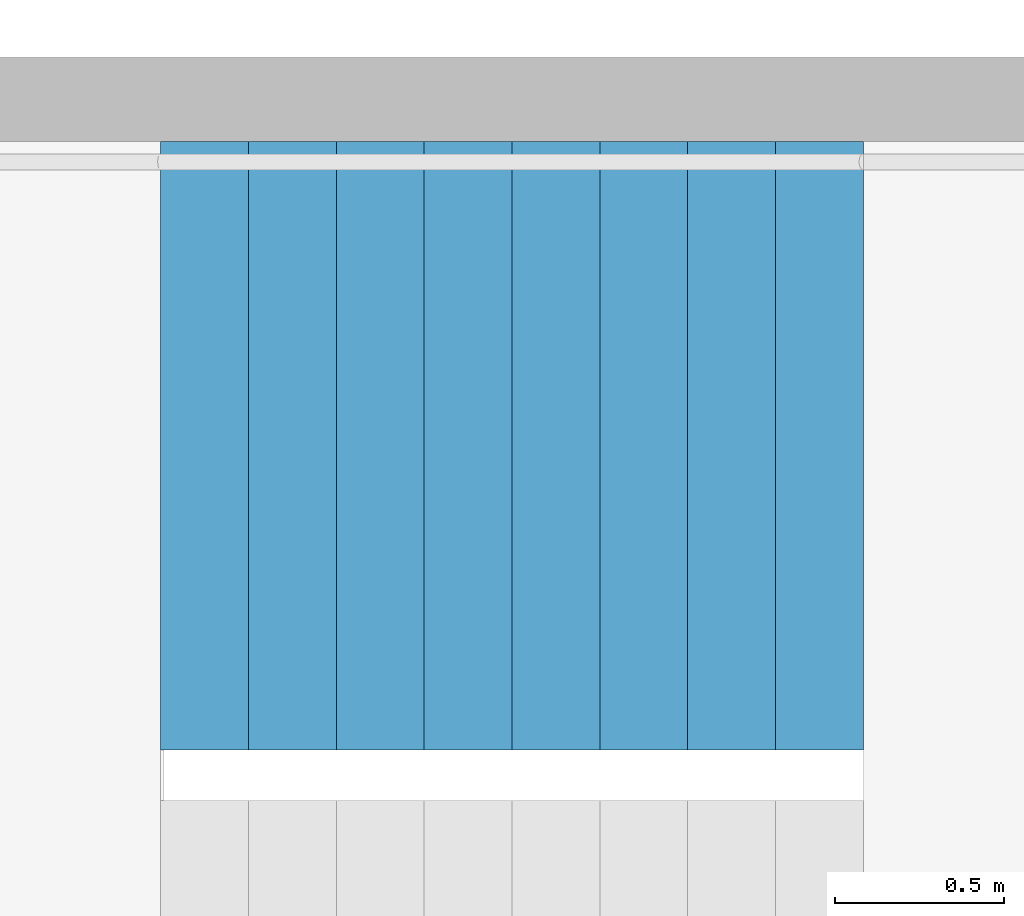
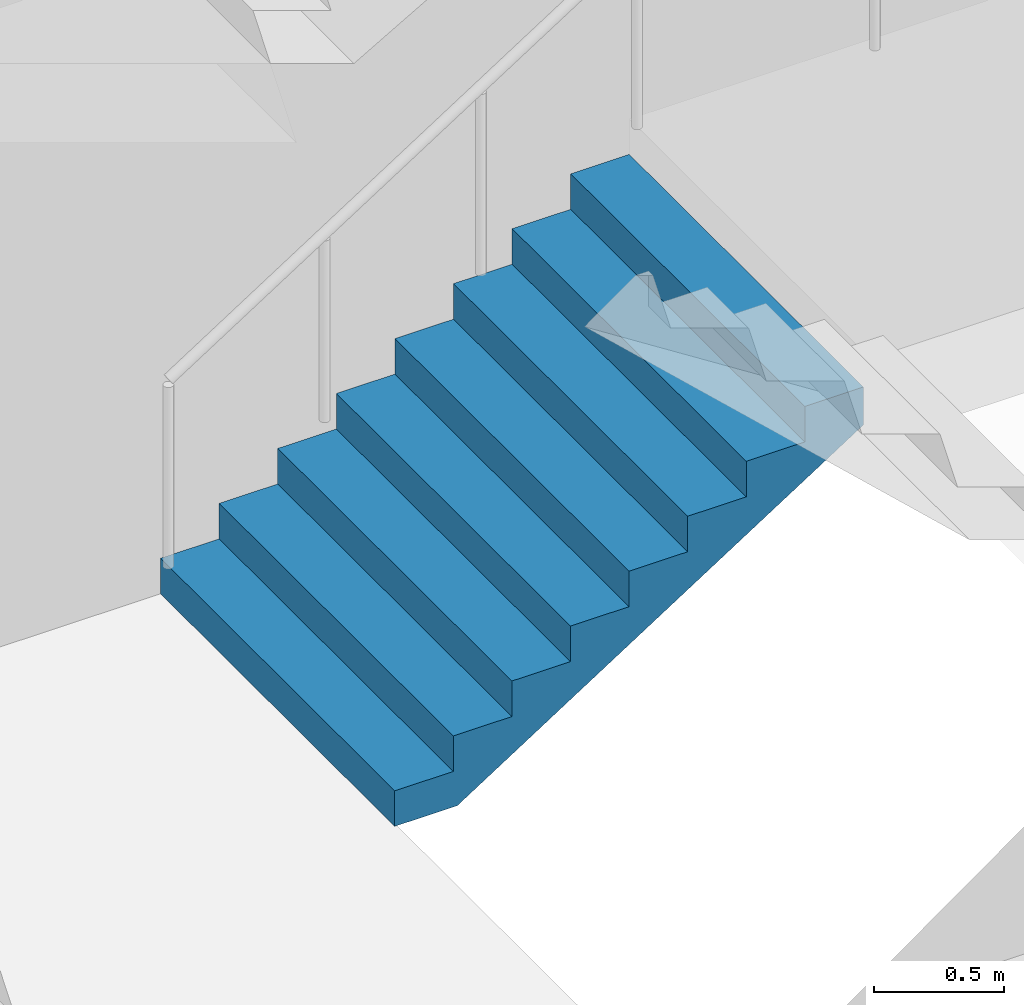
# One storey, part 64 of 100: 1 stair flight, 1 element without a shape of its own.
"""IFC4 building model written with IfcOpenShell, lengths in metres."""

from ifc_helpers import new_model, si_unit, direction, frame, origin, place, context, subcontext, project, spatial, triangles, material, type_object, element, aggregate, save


model = new_model("IFC4")

# Units and contexts
model_context = context("Model", 3, precision=1e-05, world=origin(), true_north=direction((0.0, 1.0)))
body_context = subcontext(model_context, "Body", "Model", "MODEL_VIEW")
ifc_project = project(units=[si_unit("LENGTHUNIT", "METRE"), si_unit("AREAUNIT", "SQUARE_METRE"), si_unit("VOLUMEUNIT", "CUBIC_METRE"), si_unit("PLANEANGLEUNIT", "RADIAN"), si_unit("MASSUNIT", "GRAM", prefix="KILO")], contexts=[model_context])

# Site, building, storey
site_placement = place(None, origin())
site = spatial("IfcSite", under=ifc_project, at=site_placement, CompositionType="ELEMENT")
building_placement = place(site_placement, origin())
building = spatial("IfcBuilding", under=site, at=building_placement, Name="Hakoniwa Tower and Hamabe Station Hall", CompositionType="ELEMENT")
storey_placement = place(building_placement, frame((0.0, 0.0, 9.0)))
storey = spatial("IfcBuildingStorey", under=building, at=storey_placement, Name="L02", CompositionType="ELEMENT", Elevation=9.0)

# Stair, stair flight
ifc_material_1 = material(Name="Concrete C40", Category="concrete")
stair_type = type_object("IfcStairType", Name="ESCAPE STAIR 1800", PredefinedType="HALF_TURN_STAIR", material=ifc_material_1)
stair_placement = place(storey_placement, origin())
stair = element("IfcStair", 1, at=stair_placement, inside=storey, type_object=stair_type, Name="Escape stair ST-4 L02", PredefinedType="HALF_TURN_STAIR")
ifc_material_2 = material(Name="Concrete C40", Category="concrete")
stair_flight_type = type_object("IfcStairFlightType", Name="STAIR FLIGHT 1800", PredefinedType="STRAIGHT", material=ifc_material_2)
stair_flight_placement = place(storey_placement, frame((23.39990234375, -4.64990234375, 0.0), z_axis=(0.0, 0.0, 1.0), x_axis=(1.0, 0.0, 0.0)))
stair_flight = element("IfcStairFlight", 2, at=stair_flight_placement, type_object=stair_flight_type, Name="ST-4 flight 1", NumberOfRisers=9, NumberOfTreads=8, PredefinedType="STRAIGHT", RiserHeight=0.166666667, TreadLength=0.26, context=body_context, shape_type="Tessellation", body=[
    triangles([(0.0, 0.89990234375, 0.0), (0.260009765625, 0.89990234375, 0.0), (0.27783203125, 0.89990234375, 0.0), (0.52001953125, 0.89990234375, 0.1552734375), (0.780029296875, 0.89990234375, 0.322021484375), (1.0400390625, 0.89990234375, 0.488525390625), (1.300048828125, 0.89990234375, 0.6552734375), (1.56005859375, 0.89990234375, 0.822021484375), (1.820068359375, 0.89990234375, 0.988525390625), (2.080078125, 0.89990234375, 1.1552734375), (2.080078125, 0.89990234375, 1.333251953125), (1.820068359375, 0.89990234375, 1.333251953125), (1.820068359375, 0.89990234375, 1.166748046875), (1.56005859375, 0.89990234375, 1.166748046875), (1.56005859375, 0.89990234375, 1.0), (1.300048828125, 0.89990234375, 1.0), (1.300048828125, 0.89990234375, 0.833251953125), (1.0400390625, 0.89990234375, 0.833251953125), (1.0400390625, 0.89990234375, 0.666748046875), (0.780029296875, 0.89990234375, 0.666748046875), (0.780029296875, 0.89990234375, 0.5), (0.52001953125, 0.89990234375, 0.5), (0.52001953125, 0.89990234375, 0.333251953125), (0.27783203125, 0.89990234375, 0.333251953125), (0.260009765625, 0.89990234375, 0.333251953125), (0.260009765625, 0.89990234375, 0.166748046875), (0.0, 0.89990234375, 0.166748046875), (0.0, 0.06005859375, 0.0), (0.260009765625, 0.06005859375, 0.0), (0.27783203125, 0.06005859375, 0.0), (0.52001953125, 0.06005859375, 0.1552734375), (0.780029296875, 0.06005859375, 0.322021484375), (1.0400390625, 0.06005859375, 0.488525390625), (1.300048828125, 0.06005859375, 0.6552734375), (1.56005859375, 0.06005859375, 0.822021484375), (1.820068359375, 0.06005859375, 0.988525390625), (2.080078125, 0.06005859375, 1.1552734375), (2.080078125, 0.06005859375, 1.333251953125), (1.820068359375, 0.06005859375, 1.333251953125), (1.820068359375, 0.06005859375, 1.166748046875), (1.56005859375, 0.06005859375, 1.166748046875), (1.56005859375, 0.06005859375, 1.0), (1.300048828125, 0.06005859375, 1.0), (1.300048828125, 0.06005859375, 0.833251953125), (1.0400390625, 0.06005859375, 0.833251953125), (1.0400390625, 0.06005859375, 0.666748046875), (0.780029296875, 0.06005859375, 0.666748046875), (0.780029296875, 0.06005859375, 0.5), (0.52001953125, 0.06005859375, 0.5), (0.52001953125, 0.06005859375, 0.333251953125), (0.27783203125, 0.06005859375, 0.333251953125), (0.260009765625, 0.06005859375, 0.333251953125), (0.260009765625, 0.06005859375, 0.166748046875), (0.0, 0.06005859375, 0.166748046875), (0.0, 0.04296875, 0.0), (0.260009765625, 0.04296875, 0.0), (0.27783203125, 0.04296875, 0.0), (0.52001953125, 0.04296875, 0.1552734375), (0.780029296875, 0.04296875, 0.322021484375), (1.0400390625, 0.04296875, 0.488525390625), (1.300048828125, 0.04296875, 0.6552734375), (1.56005859375, 0.04296875, 0.822021484375), (1.820068359375, 0.04296875, 0.988525390625), (2.080078125, 0.04296875, 1.1552734375), (2.080078125, 0.04296875, 1.333251953125), (1.820068359375, 0.04296875, 1.333251953125), (1.820068359375, 0.04296875, 1.166748046875), (1.56005859375, 0.04296875, 1.166748046875), (1.56005859375, 0.04296875, 1.0), (1.300048828125, 0.04296875, 1.0), (1.300048828125, 0.04296875, 0.833251953125), (1.0400390625, 0.04296875, 0.833251953125), (1.0400390625, 0.04296875, 0.666748046875), (0.780029296875, 0.04296875, 0.666748046875), (0.780029296875, 0.04296875, 0.5), (0.52001953125, 0.04296875, 0.5), (0.52001953125, 0.04296875, 0.333251953125), (0.27783203125, 0.04296875, 0.333251953125), (0.260009765625, 0.04296875, 0.333251953125), (0.260009765625, 0.04296875, 0.166748046875), (0.0, 0.04296875, 0.166748046875), (0.0, 0.025634765625, 0.0), (0.260009765625, 0.025634765625, 0.0), (0.27783203125, 0.025634765625, 0.0), (0.52001953125, 0.025634765625, 0.1552734375), (0.780029296875, 0.025634765625, 0.322021484375), (1.0400390625, 0.025634765625, 0.488525390625), (1.300048828125, 0.025634765625, 0.6552734375), (1.56005859375, 0.025634765625, 0.822021484375), (1.820068359375, 0.025634765625, 0.988525390625), (2.080078125, 0.025634765625, 1.1552734375), (2.080078125, 0.025634765625, 1.333251953125), (1.820068359375, 0.025634765625, 1.333251953125), (1.820068359375, 0.025634765625, 1.166748046875), (1.56005859375, 0.025634765625, 1.166748046875), (1.56005859375, 0.025634765625, 1.0), (1.300048828125, 0.025634765625, 1.0), (1.300048828125, 0.025634765625, 0.833251953125), (1.0400390625, 0.025634765625, 0.833251953125), (1.0400390625, 0.025634765625, 0.666748046875), (0.780029296875, 0.025634765625, 0.666748046875), (0.780029296875, 0.025634765625, 0.5), (0.52001953125, 0.025634765625, 0.5), (0.52001953125, 0.025634765625, 0.333251953125), (0.27783203125, 0.025634765625, 0.333251953125), (0.260009765625, 0.025634765625, 0.333251953125), (0.260009765625, 0.025634765625, 0.166748046875), (0.0, 0.025634765625, 0.166748046875), (0.0, 0.008544921875, 0.0), (0.260009765625, 0.008544921875, 0.0), (0.27783203125, 0.008544921875, 0.0), (0.52001953125, 0.008544921875, 0.1552734375), (0.780029296875, 0.008544921875, 0.322021484375), (1.0400390625, 0.008544921875, 0.488525390625), (1.300048828125, 0.008544921875, 0.6552734375), (1.56005859375, 0.008544921875, 0.822021484375), (1.820068359375, 0.008544921875, 0.988525390625), (2.080078125, 0.008544921875, 1.1552734375), (2.080078125, 0.008544921875, 1.333251953125), (1.820068359375, 0.008544921875, 1.333251953125), (1.820068359375, 0.008544921875, 1.166748046875), (1.56005859375, 0.008544921875, 1.166748046875), (1.56005859375, 0.008544921875, 1.0), (1.300048828125, 0.008544921875, 1.0), (1.300048828125, 0.008544921875, 0.833251953125), (1.0400390625, 0.008544921875, 0.833251953125), (1.0400390625, 0.008544921875, 0.666748046875), (0.780029296875, 0.008544921875, 0.666748046875), (0.780029296875, 0.008544921875, 0.5), (0.52001953125, 0.008544921875, 0.5), (0.52001953125, 0.008544921875, 0.333251953125), (0.27783203125, 0.008544921875, 0.333251953125), (0.260009765625, 0.008544921875, 0.333251953125), (0.260009765625, 0.008544921875, 0.166748046875), (0.0, 0.008544921875, 0.166748046875), (0.0, -0.008544921875, 0.0), (0.260009765625, -0.008544921875, 0.0), (0.27783203125, -0.008544921875, 0.0), (0.52001953125, -0.008544921875, 0.1552734375), (0.780029296875, -0.008544921875, 0.322021484375), (1.0400390625, -0.008544921875, 0.488525390625), (1.300048828125, -0.008544921875, 0.6552734375), (1.56005859375, -0.008544921875, 0.822021484375), (1.820068359375, -0.008544921875, 0.988525390625), (2.080078125, -0.008544921875, 1.1552734375), (2.080078125, -0.008544921875, 1.333251953125), (1.820068359375, -0.008544921875, 1.333251953125), (1.820068359375, -0.008544921875, 1.166748046875), (1.56005859375, -0.008544921875, 1.166748046875), (1.56005859375, -0.008544921875, 1.0), (1.300048828125, -0.008544921875, 1.0), (1.300048828125, -0.008544921875, 0.833251953125), (1.0400390625, -0.008544921875, 0.833251953125), (1.0400390625, -0.008544921875, 0.666748046875), (0.780029296875, -0.008544921875, 0.666748046875), (0.780029296875, -0.008544921875, 0.5), (0.52001953125, -0.008544921875, 0.5), (0.52001953125, -0.008544921875, 0.333251953125), (0.27783203125, -0.008544921875, 0.333251953125), (0.260009765625, -0.008544921875, 0.333251953125), (0.260009765625, -0.008544921875, 0.166748046875), (0.0, -0.008544921875, 0.166748046875), (0.0, -0.025634765625, 0.0), (0.260009765625, -0.025634765625, 0.0), (0.27783203125, -0.025634765625, 0.0), (0.52001953125, -0.025634765625, 0.1552734375), (0.780029296875, -0.025634765625, 0.322021484375), (1.0400390625, -0.025634765625, 0.488525390625), (1.300048828125, -0.025634765625, 0.6552734375), (1.56005859375, -0.025634765625, 0.822021484375), (1.820068359375, -0.025634765625, 0.988525390625), (2.080078125, -0.025634765625, 1.1552734375), (2.080078125, -0.025634765625, 1.333251953125), (1.820068359375, -0.025634765625, 1.333251953125), (1.820068359375, -0.025634765625, 1.166748046875), (1.56005859375, -0.025634765625, 1.166748046875), (1.56005859375, -0.025634765625, 1.0), (1.300048828125, -0.025634765625, 1.0), (1.300048828125, -0.025634765625, 0.833251953125), (1.0400390625, -0.025634765625, 0.833251953125), (1.0400390625, -0.025634765625, 0.666748046875), (0.780029296875, -0.025634765625, 0.666748046875), (0.780029296875, -0.025634765625, 0.5), (0.52001953125, -0.025634765625, 0.5), (0.52001953125, -0.025634765625, 0.333251953125), (0.27783203125, -0.025634765625, 0.333251953125), (0.260009765625, -0.025634765625, 0.333251953125), (0.260009765625, -0.025634765625, 0.166748046875), (0.0, -0.025634765625, 0.166748046875), (0.0, -0.04296875, 0.0), (0.260009765625, -0.04296875, 0.0), (0.27783203125, -0.04296875, 0.0), (0.52001953125, -0.04296875, 0.1552734375), (0.780029296875, -0.04296875, 0.322021484375), (1.0400390625, -0.04296875, 0.488525390625), (1.300048828125, -0.04296875, 0.6552734375), (1.56005859375, -0.04296875, 0.822021484375), (1.820068359375, -0.04296875, 0.988525390625), (2.080078125, -0.04296875, 1.1552734375), (2.080078125, -0.04296875, 1.333251953125), (1.820068359375, -0.04296875, 1.333251953125), (1.820068359375, -0.04296875, 1.166748046875), (1.56005859375, -0.04296875, 1.166748046875), (1.56005859375, -0.04296875, 1.0), (1.300048828125, -0.04296875, 1.0), (1.300048828125, -0.04296875, 0.833251953125), (1.0400390625, -0.04296875, 0.833251953125), (1.0400390625, -0.04296875, 0.666748046875), (0.780029296875, -0.04296875, 0.666748046875), (0.780029296875, -0.04296875, 0.5), (0.52001953125, -0.04296875, 0.5), (0.52001953125, -0.04296875, 0.333251953125), (0.27783203125, -0.04296875, 0.333251953125), (0.260009765625, -0.04296875, 0.333251953125), (0.260009765625, -0.04296875, 0.166748046875), (0.0, -0.04296875, 0.166748046875), (0.0, -0.06005859375, 0.0), (0.260009765625, -0.06005859375, 0.0), (0.27783203125, -0.06005859375, 0.0), (0.52001953125, -0.06005859375, 0.1552734375), (0.780029296875, -0.06005859375, 0.322021484375), (1.0400390625, -0.06005859375, 0.488525390625), (1.300048828125, -0.06005859375, 0.6552734375), (1.56005859375, -0.06005859375, 0.822021484375), (1.820068359375, -0.06005859375, 0.988525390625), (2.080078125, -0.06005859375, 1.1552734375), (2.080078125, -0.06005859375, 1.333251953125), (1.820068359375, -0.06005859375, 1.333251953125), (1.820068359375, -0.06005859375, 1.166748046875), (1.56005859375, -0.06005859375, 1.166748046875), (1.56005859375, -0.06005859375, 1.0), (1.300048828125, -0.06005859375, 1.0), (1.300048828125, -0.06005859375, 0.833251953125), (1.0400390625, -0.06005859375, 0.833251953125), (1.0400390625, -0.06005859375, 0.666748046875), (0.780029296875, -0.06005859375, 0.666748046875), (0.780029296875, -0.06005859375, 0.5), (0.52001953125, -0.06005859375, 0.5), (0.52001953125, -0.06005859375, 0.333251953125), (0.27783203125, -0.06005859375, 0.333251953125), (0.260009765625, -0.06005859375, 0.333251953125), (0.260009765625, -0.06005859375, 0.166748046875), (0.0, -0.06005859375, 0.166748046875), (0.0, -0.89990234375, 0.0), (0.260009765625, -0.89990234375, 0.0), (0.27783203125, -0.89990234375, 0.0), (0.52001953125, -0.89990234375, 0.1552734375), (0.780029296875, -0.89990234375, 0.322021484375), (1.0400390625, -0.89990234375, 0.488525390625), (1.300048828125, -0.89990234375, 0.6552734375), (1.56005859375, -0.89990234375, 0.822021484375), (1.820068359375, -0.89990234375, 0.988525390625), (2.080078125, -0.89990234375, 1.1552734375), (2.080078125, -0.89990234375, 1.333251953125), (1.820068359375, -0.89990234375, 1.333251953125), (1.820068359375, -0.89990234375, 1.166748046875), (1.56005859375, -0.89990234375, 1.166748046875), (1.56005859375, -0.89990234375, 1.0), (1.300048828125, -0.89990234375, 1.0), (1.300048828125, -0.89990234375, 0.833251953125), (1.0400390625, -0.89990234375, 0.833251953125), (1.0400390625, -0.89990234375, 0.666748046875), (0.780029296875, -0.89990234375, 0.666748046875), (0.780029296875, -0.89990234375, 0.5), (0.52001953125, -0.89990234375, 0.5), (0.52001953125, -0.89990234375, 0.333251953125), (0.27783203125, -0.89990234375, 0.333251953125), (0.260009765625, -0.89990234375, 0.333251953125), (0.260009765625, -0.89990234375, 0.166748046875), (0.0, -0.89990234375, 0.166748046875)], [[2, 27, 26], [245, 269, 270], [2, 1, 27], [245, 270, 244], [3, 25, 24], [246, 267, 268], [3, 26, 25], [246, 268, 269], [3, 2, 26], [246, 269, 245], [4, 24, 23], [247, 266, 267], [4, 3, 24], [247, 267, 246], [5, 22, 21], [248, 264, 265], [5, 23, 22], [248, 265, 266], [5, 4, 23], [248, 266, 247], [6, 20, 19], [249, 262, 263], [6, 21, 20], [249, 263, 264], [6, 5, 21], [249, 264, 248], [7, 18, 17], [250, 260, 261], [7, 19, 18], [250, 261, 262], [7, 6, 19], [250, 262, 249], [8, 16, 15], [251, 258, 259], [8, 17, 16], [251, 259, 260], [8, 7, 17], [251, 260, 250], [9, 14, 13], [252, 256, 257], [9, 15, 14], [252, 257, 258], [9, 8, 15], [252, 258, 251], [10, 12, 11], [253, 254, 255], [10, 13, 12], [253, 255, 256], [10, 9, 13], [253, 256, 252], [1, 2, 29], [1, 29, 28], [28, 29, 56], [28, 56, 55], [55, 56, 83], [55, 83, 82], [82, 83, 110], [82, 110, 109], [109, 110, 137], [109, 137, 136], [136, 137, 164], [136, 164, 163], [163, 164, 191], [163, 191, 190], [190, 191, 218], [190, 218, 217], [217, 218, 245], [217, 245, 244], [2, 3, 30], [2, 30, 29], [29, 30, 57], [29, 57, 56], [56, 57, 84], [56, 84, 83], [83, 84, 111], [83, 111, 110], [110, 111, 138], [110, 138, 137], [137, 138, 165], [137, 165, 164], [164, 165, 192], [164, 192, 191], [191, 192, 219], [191, 219, 218], [218, 219, 246], [218, 246, 245], [3, 4, 31], [3, 31, 30], [30, 31, 58], [30, 58, 57], [57, 58, 85], [57, 85, 84], [84, 85, 112], [84, 112, 111], [111, 112, 139], [111, 139, 138], [138, 139, 166], [138, 166, 165], [165, 166, 193], [165, 193, 192], [192, 193, 220], [192, 220, 219], [219, 220, 247], [219, 247, 246], [4, 5, 32], [4, 32, 31], [31, 32, 59], [31, 59, 58], [58, 59, 86], [58, 86, 85], [85, 86, 113], [85, 113, 112], [112, 113, 140], [112, 140, 139], [139, 140, 167], [139, 167, 166], [166, 167, 194], [166, 194, 193], [193, 194, 221], [193, 221, 220], [220, 221, 248], [220, 248, 247], [5, 6, 33], [5, 33, 32], [32, 33, 60], [32, 60, 59], [59, 60, 87], [59, 87, 86], [86, 87, 114], [86, 114, 113], [113, 114, 141], [113, 141, 140], [140, 141, 168], [140, 168, 167], [167, 168, 195], [167, 195, 194], [194, 195, 222], [194, 222, 221], [221, 222, 249], [221, 249, 248], [6, 7, 34], [6, 34, 33], [33, 34, 61], [33, 61, 60], [60, 61, 88], [60, 88, 87], [87, 88, 115], [87, 115, 114], [114, 115, 142], [114, 142, 141], [141, 142, 169], [141, 169, 168], [168, 169, 196], [168, 196, 195], [195, 196, 223], [195, 223, 222], [222, 223, 250], [222, 250, 249], [7, 8, 35], [7, 35, 34], [34, 35, 62], [34, 62, 61], [61, 62, 89], [61, 89, 88], [88, 89, 116], [88, 116, 115], [115, 116, 143], [115, 143, 142], [142, 143, 170], [142, 170, 169], [169, 170, 197], [169, 197, 196], [196, 197, 224], [196, 224, 223], [223, 224, 251], [223, 251, 250], [8, 9, 36], [8, 36, 35], [35, 36, 63], [35, 63, 62], [62, 63, 90], [62, 90, 89], [89, 90, 117], [89, 117, 116], [116, 117, 144], [116, 144, 143], [143, 144, 171], [143, 171, 170], [170, 171, 198], [170, 198, 197], [197, 198, 225], [197, 225, 224], [224, 225, 252], [224, 252, 251], [9, 10, 37], [9, 37, 36], [36, 37, 64], [36, 64, 63], [63, 64, 91], [63, 91, 90], [90, 91, 118], [90, 118, 117], [117, 118, 145], [117, 145, 144], [144, 145, 172], [144, 172, 171], [171, 172, 199], [171, 199, 198], [198, 199, 226], [198, 226, 225], [225, 226, 253], [225, 253, 252], [10, 11, 38], [10, 38, 37], [37, 38, 65], [37, 65, 64], [64, 65, 92], [64, 92, 91], [91, 92, 119], [91, 119, 118], [118, 119, 146], [118, 146, 145], [145, 146, 173], [145, 173, 172], [172, 173, 200], [172, 200, 199], [199, 200, 227], [199, 227, 226], [226, 227, 254], [226, 254, 253], [11, 12, 39], [11, 39, 38], [38, 39, 66], [38, 66, 65], [65, 66, 93], [65, 93, 92], [92, 93, 120], [92, 120, 119], [119, 120, 147], [119, 147, 146], [146, 147, 174], [146, 174, 173], [173, 174, 201], [173, 201, 200], [200, 201, 228], [200, 228, 227], [227, 228, 255], [227, 255, 254], [12, 13, 40], [12, 40, 39], [39, 40, 67], [39, 67, 66], [66, 67, 94], [66, 94, 93], [93, 94, 121], [93, 121, 120], [120, 121, 148], [120, 148, 147], [147, 148, 175], [147, 175, 174], [174, 175, 202], [174, 202, 201], [201, 202, 229], [201, 229, 228], [228, 229, 256], [228, 256, 255], [13, 14, 41], [13, 41, 40], [40, 41, 68], [40, 68, 67], [67, 68, 95], [67, 95, 94], [94, 95, 122], [94, 122, 121], [121, 122, 149], [121, 149, 148], [148, 149, 176], [148, 176, 175], [175, 176, 203], [175, 203, 202], [202, 203, 230], [202, 230, 229], [229, 230, 257], [229, 257, 256], [14, 15, 42], [14, 42, 41], [41, 42, 69], [41, 69, 68], [68, 69, 96], [68, 96, 95], [95, 96, 123], [95, 123, 122], [122, 123, 150], [122, 150, 149], [149, 150, 177], [149, 177, 176], [176, 177, 204], [176, 204, 203], [203, 204, 231], [203, 231, 230], [230, 231, 258], [230, 258, 257], [15, 16, 43], [15, 43, 42], [42, 43, 70], [42, 70, 69], [69, 70, 97], [69, 97, 96], [96, 97, 124], [96, 124, 123], [123, 124, 151], [123, 151, 150], [150, 151, 178], [150, 178, 177], [177, 178, 205], [177, 205, 204], [204, 205, 232], [204, 232, 231], [231, 232, 259], [231, 259, 258], [16, 17, 44], [16, 44, 43], [43, 44, 71], [43, 71, 70], [70, 71, 98], [70, 98, 97], [97, 98, 125], [97, 125, 124], [124, 125, 152], [124, 152, 151], [151, 152, 179], [151, 179, 178], [178, 179, 206], [178, 206, 205], [205, 206, 233], [205, 233, 232], [232, 233, 260], [232, 260, 259], [17, 18, 45], [17, 45, 44], [44, 45, 72], [44, 72, 71], [71, 72, 99], [71, 99, 98], [98, 99, 126], [98, 126, 125], [125, 126, 153], [125, 153, 152], [152, 153, 180], [152, 180, 179], [179, 180, 207], [179, 207, 206], [206, 207, 234], [206, 234, 233], [233, 234, 261], [233, 261, 260], [18, 19, 46], [18, 46, 45], [45, 46, 73], [45, 73, 72], [72, 73, 100], [72, 100, 99], [99, 100, 127], [99, 127, 126], [126, 127, 154], [126, 154, 153], [153, 154, 181], [153, 181, 180], [180, 181, 208], [180, 208, 207], [207, 208, 235], [207, 235, 234], [234, 235, 262], [234, 262, 261], [19, 20, 47], [19, 47, 46], [46, 47, 74], [46, 74, 73], [73, 74, 101], [73, 101, 100], [100, 101, 128], [100, 128, 127], [127, 128, 155], [127, 155, 154], [154, 155, 182], [154, 182, 181], [181, 182, 209], [181, 209, 208], [208, 209, 236], [208, 236, 235], [235, 236, 263], [235, 263, 262], [20, 21, 48], [20, 48, 47], [47, 48, 75], [47, 75, 74], [74, 75, 102], [74, 102, 101], [101, 102, 129], [101, 129, 128], [128, 129, 156], [128, 156, 155], [155, 156, 183], [155, 183, 182], [182, 183, 210], [182, 210, 209], [209, 210, 237], [209, 237, 236], [236, 237, 264], [236, 264, 263], [21, 22, 49], [21, 49, 48], [48, 49, 76], [48, 76, 75], [75, 76, 103], [75, 103, 102], [102, 103, 130], [102, 130, 129], [129, 130, 157], [129, 157, 156], [156, 157, 184], [156, 184, 183], [183, 184, 211], [183, 211, 210], [210, 211, 238], [210, 238, 237], [237, 238, 265], [237, 265, 264], [22, 23, 50], [22, 50, 49], [49, 50, 77], [49, 77, 76], [76, 77, 104], [76, 104, 103], [103, 104, 131], [103, 131, 130], [130, 131, 158], [130, 158, 157], [157, 158, 185], [157, 185, 184], [184, 185, 212], [184, 212, 211], [211, 212, 239], [211, 239, 238], [238, 239, 266], [238, 266, 265], [23, 24, 51], [23, 51, 50], [50, 51, 78], [50, 78, 77], [77, 78, 105], [77, 105, 104], [104, 105, 132], [104, 132, 131], [131, 132, 159], [131, 159, 158], [158, 159, 186], [158, 186, 185], [185, 186, 213], [185, 213, 212], [212, 213, 240], [212, 240, 239], [239, 240, 267], [239, 267, 266], [24, 25, 52], [24, 52, 51], [51, 52, 79], [51, 79, 78], [78, 79, 106], [78, 106, 105], [105, 106, 133], [105, 133, 132], [132, 133, 160], [132, 160, 159], [159, 160, 187], [159, 187, 186], [186, 187, 214], [186, 214, 213], [213, 214, 241], [213, 241, 240], [240, 241, 268], [240, 268, 267], [25, 26, 53], [25, 53, 52], [52, 53, 80], [52, 80, 79], [79, 80, 107], [79, 107, 106], [106, 107, 134], [106, 134, 133], [133, 134, 161], [133, 161, 160], [160, 161, 188], [160, 188, 187], [187, 188, 215], [187, 215, 214], [214, 215, 242], [214, 242, 241], [241, 242, 269], [241, 269, 268], [26, 27, 54], [26, 54, 53], [53, 54, 81], [53, 81, 80], [80, 81, 108], [80, 108, 107], [107, 108, 135], [107, 135, 134], [134, 135, 162], [134, 162, 161], [161, 162, 189], [161, 189, 188], [188, 189, 216], [188, 216, 215], [215, 216, 243], [215, 243, 242], [242, 243, 270], [242, 270, 269], [27, 1, 28], [27, 28, 54], [54, 28, 55], [54, 55, 81], [81, 55, 82], [81, 82, 108], [108, 82, 109], [108, 109, 135], [135, 109, 136], [135, 136, 162], [162, 136, 163], [162, 163, 189], [189, 163, 190], [189, 190, 216], [216, 190, 217], [216, 217, 243], [243, 217, 244], [243, 244, 270]], closed=True),
])
aggregate(stair, [stair_flight])

save(model, "model.ifc")
